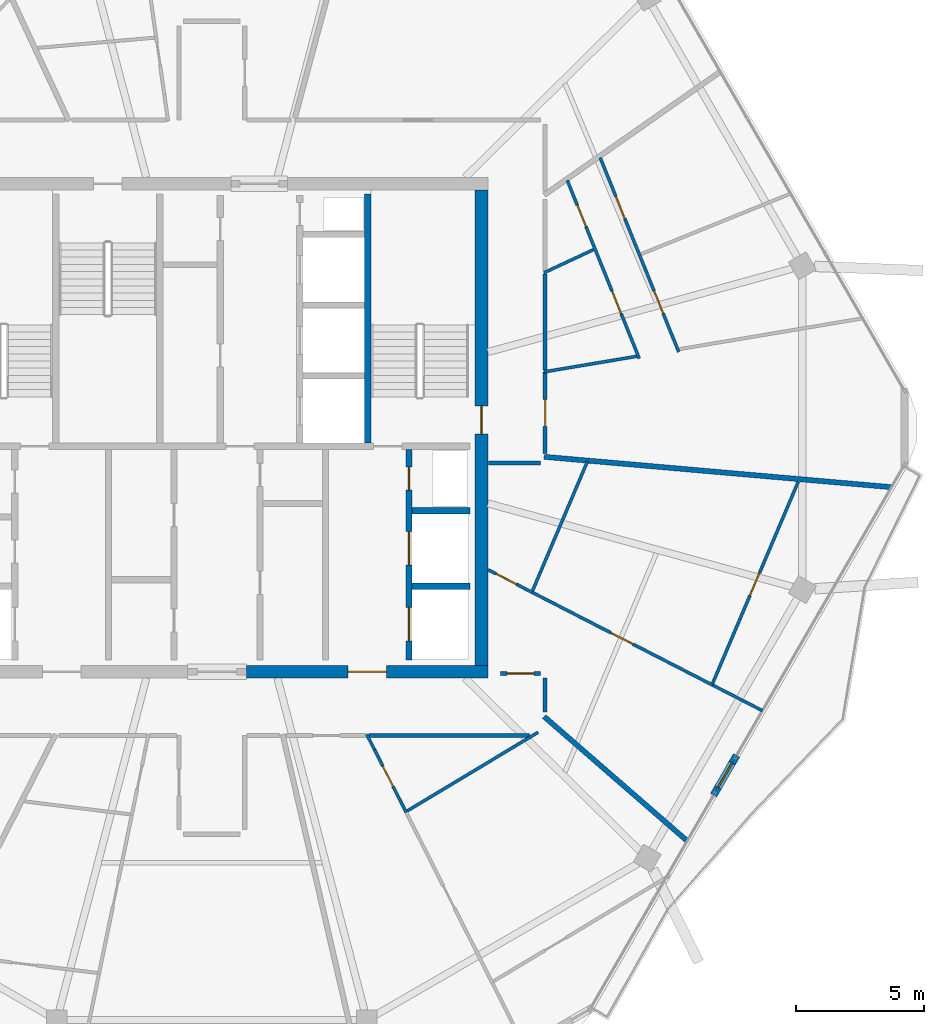
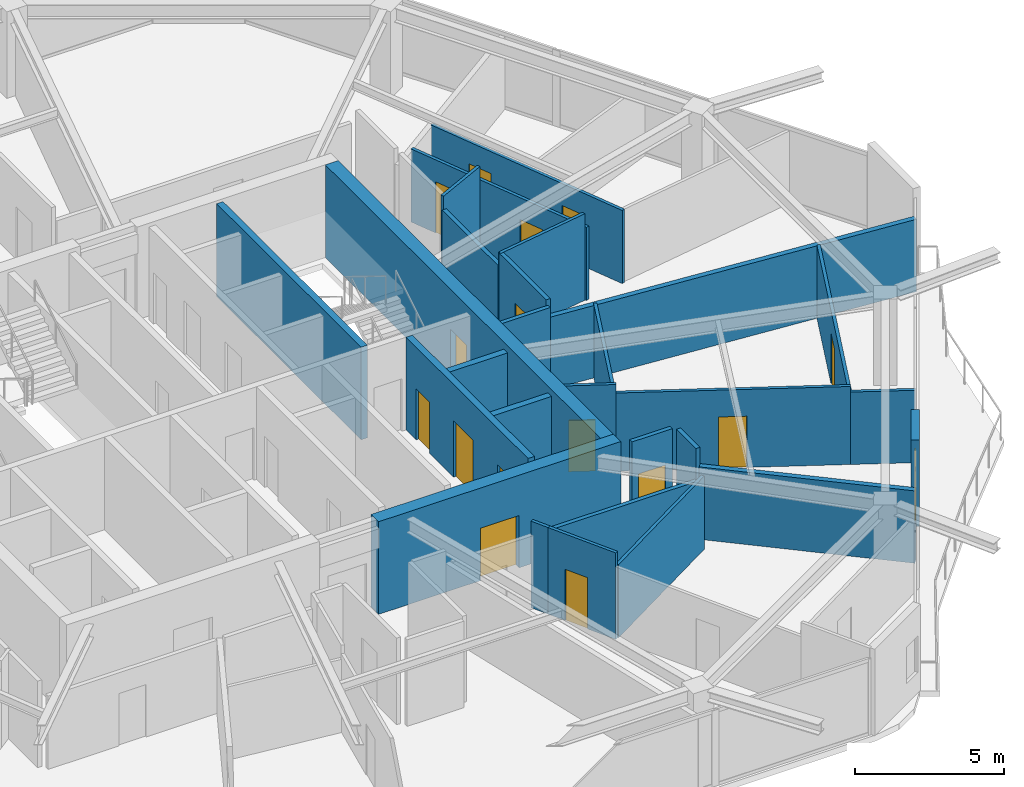
# One storey, part 14 of 19: 27 walls, 16 doors, 16 openings.
"""IFC4 building model written with IfcOpenShell, lengths in metres."""

import ifcopenshell
import ifcopenshell.guid

model = None  # the IFC model being written
_history = None  # IfcOwnerHistory: only IFC2X3 demands one
_inside = {}  # id of a spatial element -> (the spatial element, [elements in it])
_under = {}  # id of a project, library or spatial element -> (it, [spatial elements below it])
_declared = {}  # id of a project -> (the project, [libraries it declares])
_typed = {}  # id of a type object -> (the type object, [elements of that type])
_made_of = {}  # id of a material, layer set ... -> (it, [elements and type objects made of it])


def new_model(schema):
    """Start an empty IFC model of exactly this schema.

    Asked for "IFC4X3", IfcOpenShell would pick the latest addendum, in which some entities
    have other attributes; the version numbers below select the first issue.
    IFC2X3 requires an IfcOwnerHistory on every rooted entity: one is made here for all.
    """
    global model, _history
    if schema == "IFC4X3":
        model = ifcopenshell.file(schema_version=(4, 3, 0, 0))
    else:
        model = ifcopenshell.file(schema=schema)
    _inside.clear()
    _under.clear()
    _declared.clear()
    _typed.clear()
    _made_of.clear()
    _history = None
    if model.schema == "IFC2X3":
        org = make("IfcOrganization", Name="unknown")
        user = make(
            "IfcPersonAndOrganization",
            ThePerson=make("IfcPerson", FamilyName="unknown"),
            TheOrganization=org,
        )
        app = make(
            "IfcApplication",
            ApplicationDeveloper=org,
            Version="unknown",
            ApplicationFullName="unknown",
            ApplicationIdentifier="unknown",
        )
        _history = make(
            "IfcOwnerHistory",
            OwningUser=user,
            OwningApplication=app,
            ChangeAction="ADDED",
            CreationDate=0,
        )
    return model


def make(cls, **values):
    """One entity of the class cls with the attributes given. An attribute that is None is left unset."""
    return model.create_entity(
        cls, **{name: value for name, value in values.items() if value is not None}
    )


def rooted(cls, **values):
    """An entity with a GlobalId (a new one), such as an element, a storey or a relation."""
    return make(cls, GlobalId=ifcopenshell.guid.new(), OwnerHistory=_history, **values)


def si_unit(unit_type, name, prefix=None):
    """IfcSIUnit, for example si_unit("LENGTHUNIT", "METRE", prefix="MILLI")."""
    return make("IfcSIUnit", UnitType=unit_type, Prefix=prefix, Name=name)


def assignment(units):
    """IfcUnitAssignment: the units of a project."""
    return None if units is None else make("IfcUnitAssignment", Units=units)


def point(xyz):
    """IfcCartesianPoint."""
    return None if xyz is None else make("IfcCartesianPoint", Coordinates=xyz)


def direction(xyz):
    """IfcDirection."""
    return None if xyz is None else make("IfcDirection", DirectionRatios=xyz)


def frame(location, z_axis=None, x_axis=None):
    """IfcAxis2Placement3D, a coordinate frame: its origin and axes. An axis left out is left unset."""
    return make(
        "IfcAxis2Placement3D",
        Location=point(location),
        Axis=direction(z_axis),
        RefDirection=direction(x_axis),
    )


def frame_2d(location, x_axis=None):
    """IfcAxis2Placement2D, a coordinate frame in the plane: its origin and x axis."""
    return make(
        "IfcAxis2Placement2D", Location=point(location), RefDirection=direction(x_axis)
    )


def origin():
    """The frame at (0, 0, 0) with its axes left unset."""
    return frame((0.0, 0.0, 0.0))


def place(relative_to, where):
    """IfcLocalPlacement: puts the frame where relative to a parent placement (None: the world)."""
    return make(
        "IfcLocalPlacement", PlacementRelTo=relative_to, RelativePlacement=where
    )


def context(
    kind, dimensions, precision=None, world=None, true_north=None, identifier=None
):
    """IfcGeometricRepresentationContext, for example the 3D "Model" context."""
    return make(
        "IfcGeometricRepresentationContext",
        ContextIdentifier=identifier,
        ContextType=kind,
        CoordinateSpaceDimension=dimensions,
        Precision=precision,
        WorldCoordinateSystem=world,
        TrueNorth=true_north,
    )


def subcontext(parent, identifier, kind, view, scale=None):
    """IfcGeometricRepresentationSubContext, for example "Body" below "Model"."""
    return make(
        "IfcGeometricRepresentationSubContext",
        ContextIdentifier=identifier,
        ContextType=kind,
        ParentContext=parent,
        TargetScale=scale,
        TargetView=view,
    )


def project(units=None, contexts=None):
    """IfcProject with its units and contexts."""
    return rooted(
        "IfcProject",
        Name="project",
        RepresentationContexts=contexts,
        UnitsInContext=assignment(units),
    )


def spatial(cls, under=None, at=None, **own):
    """A site, building, storey or space (cls), placed at a placement, below another one or the project."""
    s = rooted(cls, ObjectPlacement=at, **own)
    if under is not None:
        _under.setdefault(under.id(), (under, []))[1].append(s)
    return s


def profile(cls, at=None, kind="AREA", **sizes):
    """A parametric profile (cls). Its sizes go by their IFC names, for example OverallWidth=200.0."""
    return make(cls, ProfileType=kind, Position=at, **sizes)


def rectangle(**sizes):
    """IfcRectangleProfileDef."""
    return profile("IfcRectangleProfileDef", **sizes)


def extrude(swept, where, along, depth):
    """IfcExtrudedAreaSolid: the profile swept, set in the frame where, extruded along a direction by depth."""
    return make(
        "IfcExtrudedAreaSolid",
        SweptArea=swept,
        Position=where,
        ExtrudedDirection=direction(along),
        Depth=depth,
    )


def shape(context_of_items, identifier, shape_type, items):
    """IfcShapeRepresentation: the items that make up one representation, for example the "Body"."""
    return make(
        "IfcShapeRepresentation",
        ContextOfItems=context_of_items,
        RepresentationIdentifier=identifier,
        RepresentationType=shape_type,
        Items=items,
    )


def material(Name=None, Category=None):
    """IfcMaterial."""
    return make("IfcMaterial", Name=Name, Category=Category)


def layer(
    of_material, thickness, ventilated=None, Name=None, Category=None, Priority=None
):
    """IfcMaterialLayer: one layer of a wall or slab, of a material (None: an air gap)."""
    return make(
        "IfcMaterialLayer",
        Material=of_material,
        LayerThickness=thickness,
        IsVentilated=ventilated,
        Name=Name,
        Category=Category,
        Priority=Priority,
    )


def layer_set(layers, Name=None):
    """IfcMaterialLayerSet."""
    return make("IfcMaterialLayerSet", MaterialLayers=layers, LayerSetName=Name)


def made_of(thing, what):
    """Note that an element or type object is made of a material, layer set ...; save() writes the relation."""
    if what is not None:
        _made_of.setdefault(what.id(), (what, []))[1].append(thing)
    return thing


def type_object(cls, material=None, **own):
    """A type object (cls), such as IfcWallType, which elements share."""
    return made_of(rooted(cls, **own), material)


def element(
    cls,
    number,
    at=None,
    inside=None,
    cuts=None,
    type_object=None,
    material=None,
    context=None,
    identifier="Body",
    shape_type=None,
    held_by="IfcProductDefinitionShape",
    body=None,
    shapes=None,
    **own,
):
    """One element of the class cls, such as IfcWall. Its Tag is "e" and its number.

    at: its placement. inside: the storey or other place that contains it. cuts: it is an
    opening in that element (IfcRelVoidsElement). A single representation is given by context,
    identifier, shape_type and body (its items); several are given by shapes. held_by: the class
    of the entity that holds the representations. save() writes the other relations.
    """
    e = rooted(cls, Tag="e%d" % number, ObjectPlacement=at, **own)
    if body is not None:
        shapes = [shape(context, identifier, shape_type, body)]
    if shapes is not None:
        e.Representation = make(held_by, Representations=shapes)
    if inside is not None:
        _inside.setdefault(inside.id(), (inside, []))[1].append(e)
    if cuts is not None:
        rooted(
            "IfcRelVoidsElement", RelatingBuildingElement=cuts, RelatedOpeningElement=e
        )
    if type_object is not None:
        _typed.setdefault(type_object.id(), (type_object, []))[1].append(e)
    return made_of(e, material)


def fill(opening, filler):
    """IfcRelFillsElement: the door or window that sits in an opening."""
    return rooted(
        "IfcRelFillsElement",
        RelatingOpeningElement=opening,
        RelatedBuildingElement=filler,
    )


def aggregate(whole, parts):
    """IfcRelAggregates: a whole, such as a stair, and the parts it consists of."""
    return rooted("IfcRelAggregates", RelatingObject=whole, RelatedObjects=parts)


def save(model, path):
    """Write the relations noted so far, then the file.

    IfcRelAggregates (storeys below a building ...), IfcRelContainedInSpatialStructure (elements
    in a storey), IfcRelDefinesByType, IfcRelAssociatesMaterial and IfcRelDeclares: one each for
    every whole, place, type object, material and project.
    """
    for whole, parts in _under.values():
        aggregate(whole, parts)
    for where, things in _inside.values():
        rooted(
            "IfcRelContainedInSpatialStructure",
            RelatedElements=things,
            RelatingStructure=where,
        )
    for kind, things in _typed.values():
        rooted("IfcRelDefinesByType", RelatedObjects=things, RelatingType=kind)
    for what, things in _made_of.values():
        rooted("IfcRelAssociatesMaterial", RelatedObjects=things, RelatingMaterial=what)
    for by, libraries in _declared.values():
        rooted("IfcRelDeclares", RelatingContext=by, RelatedDefinitions=libraries)
    model.write(path)


model = new_model("IFC4")

# Units and contexts
model_context = context("Model", 3, precision=1e-05, world=origin(), true_north=direction((0.0, 1.0)))
body_context = subcontext(model_context, "Body", "Model", "MODEL_VIEW")
ifc_project = project(units=[si_unit("LENGTHUNIT", "METRE"), si_unit("AREAUNIT", "SQUARE_METRE"), si_unit("VOLUMEUNIT", "CUBIC_METRE"), si_unit("PLANEANGLEUNIT", "RADIAN"), si_unit("MASSUNIT", "GRAM", prefix="KILO")], contexts=[model_context])

# Site, building, storey
site_placement = place(None, origin())
site = spatial("IfcSite", under=ifc_project, at=site_placement, CompositionType="ELEMENT")
building_placement = place(site_placement, origin())
building = spatial("IfcBuilding", under=site, at=building_placement, Name="Zuhravey Tower", CompositionType="ELEMENT")
storey_placement = place(building_placement, frame((0.0, 0.0, 327.199951171875)))
storey = spatial("IfcBuildingStorey", under=building, at=storey_placement, Name="L83", CompositionType="ELEMENT", Elevation=327.199951171875)

# Wall, opening, door
ifc_material_1 = material(Name="Concrete C50/60", Category="concrete")
ifc_layer_1 = layer(ifc_material_1, 0.5)
ifc_layer_set_1 = layer_set([ifc_layer_1], Name="Concrete C50/60")
wall_type_1 = type_object("IfcWallType", Name="Core Shear Wall 500", PredefinedType="SHEAR", material=ifc_layer_set_1)
wall_1_placement = place(storey_placement, frame((37.35009765625, 22.5, 0.0), z_axis=(0.0, 0.0, 1.0), x_axis=(1.0, 0.0, 0.0)))
wall_1 = element("IfcWall", 1, at=wall_1_placement, inside=storey, type_object=wall_type_1, Name="L83 South-East Core Shear Wall CW50", PredefinedType="SHEAR", context=body_context, shape_type="SweptSolid", body=[
    extrude(rectangle(XDim=9.39990234375, YDim=0.5, at=frame_2d((4.699951171875, 0.0))), origin(), (0.0, 0.0, 1.0), 3.800048828125),
])
opening_1_placement = place(wall_1_placement, frame((3.949951171875, 0.0, 0.0)))
opening_1 = element("IfcOpeningElement", 2, at=opening_1_placement, cuts=wall_1, Name="Opening FFD1", PredefinedType="OPENING", context=body_context, shape_type="SweptSolid", body=[
    extrude(rectangle(XDim=1.5, YDim=2.14990234375, at=frame_2d((0.75, 1.074951171875))), frame((0.0, 0.261962890625, 0.0), z_axis=(0.0, -1.0, 0.0), x_axis=(1.0, 0.0, 0.0)), (0.0, 0.0, 1.0), 0.52392578125),
])
ifc_material_2 = material(Name="Galvanised fire-rated steel leaf", Category="steel")
door_type_1 = type_object("IfcDoorType", Name="Firefighting Lobby Double Door 1500x2150", OperationType="DOUBLE_DOOR_SINGLE_SWING", PredefinedType="DOOR", material=ifc_material_2)
door_1_placement = place(opening_1_placement, origin())
door_1 = element("IfcDoor", 3, at=door_1_placement, inside=storey, type_object=door_type_1, Name="L83 Firefighting Lobby East Door", OperationType="DOUBLE_DOOR_SINGLE_SWING", OverallHeight=2.14990234375, OverallWidth=1.5, PredefinedType="DOOR", context=body_context, shape_type="SweptSolid", body=[
    extrude(rectangle(XDim=1.5, YDim=2.14990234375, at=frame_2d((0.75, 1.074951171875))), frame((0.0, 0.02490234375, 0.0), z_axis=(0.0, -1.0, 0.0), x_axis=(1.0, 0.0, 0.0)), (0.0, 0.0, 1.0), 0.050048828125),
])
fill(opening_1, door_1)

wall_2_placement = place(storey_placement, frame((46.5, 22.75, 0.0), z_axis=(0.0, 0.0, 1.0), x_axis=(0.0, 1.0, 0.0)))
wall_2 = element("IfcWall", 4, at=wall_2_placement, inside=storey, type_object=wall_type_1, Name="L83 East Core Shear Wall CW50", PredefinedType="SHEAR", context=body_context, shape_type="SweptSolid", body=[
    extrude(rectangle(XDim=18.5, YDim=0.5, at=frame_2d((9.25, 0.0))), origin(), (0.0, 0.0, 1.0), 3.800048828125),
])
opening_2_placement = place(wall_2_placement, frame((9.0, 0.0, 0.0)))
opening_2 = element("IfcOpeningElement", 5, at=opening_2_placement, cuts=wall_2, Name="Opening STD1", PredefinedType="OPENING", context=body_context, shape_type="SweptSolid", body=[
    extrude(rectangle(XDim=1.10009765625, YDim=2.14990234375, at=frame_2d((0.550048828125, 1.074951171875))), frame((0.0, 0.261962890625, 0.0), z_axis=(0.0, -1.0, 0.0), x_axis=(1.0, 0.0, 0.0)), (0.0, 0.0, 1.0), 0.52392578125),
])
door_type_2 = type_object("IfcDoorType", Name="Protected Stair Fire Door 1100x2150", OperationType="NOTDEFINED", PredefinedType="USERDEFINED", material=ifc_material_2)
door_2_placement = place(opening_2_placement, origin())
door_2 = element("IfcDoor", 6, at=door_2_placement, inside=storey, type_object=door_type_2, Name="L83 Stair ST2 Door", ObjectType="EXITDOOR", OperationType="SINGLE_SWING_RIGHT", OverallHeight=2.14990234375, OverallWidth=1.10009765625, PredefinedType="USERDEFINED", context=body_context, shape_type="SweptSolid", body=[
    extrude(rectangle(XDim=1.10009765625, YDim=2.14990234375, at=frame_2d((0.550048828125, 1.074951171875))), frame((0.0, 0.02490234375, 0.0), z_axis=(0.0, -1.0, 0.0), x_axis=(1.0, 0.0, 0.0)), (0.0, 0.0, 1.0), 0.050048828125),
])
fill(opening_2, door_2)

ifc_material_3 = material(Name="Gypsum fire-rated stud partition")
ifc_layer_2 = layer(ifc_material_3, 0.159912109375)
ifc_layer_set_2 = layer_set([ifc_layer_2], Name="Gypsum fire-rated stud partition")
wall_type_2 = type_object("IfcWallType", Name="Corridor Fire Partition 160", PredefinedType="PARTITIONING", material=ifc_layer_set_2)
wall_3_placement = place(storey_placement, frame((48.800048828125, 22.429931640625, 0.0), z_axis=(0.0, 0.0, 1.0), x_axis=(-1.0, 0.0, 0.0)))
wall_3 = element("IfcWall", 7, at=wall_3_placement, inside=storey, type_object=wall_type_2, Name="L83 IW16 Partition 047", PredefinedType="PARTITIONING", context=body_context, shape_type="SweptSolid", body=[
    extrude(rectangle(XDim=1.564208984375, YDim=0.159912109375, at=frame_2d((0.7822265625, 0.0))), origin(), (0.0, 0.0, 1.0), 3.550048828125),
])
opening_3_placement = place(wall_3_placement, frame((0.257080078125, 0.0, 0.0)))
opening_3 = element("IfcOpeningElement", 8, at=opening_3_placement, cuts=wall_3, Name="Opening APD1", PredefinedType="OPENING", context=body_context, shape_type="SweptSolid", body=[
    extrude(rectangle(XDim=1.050048828125, YDim=2.14990234375, at=frame_2d((0.52490234375, 1.074951171875))), frame((0.0, 0.092041015625, 0.0), z_axis=(0.0, -1.0, 0.0), x_axis=(1.0, 0.0, 0.0)), (0.0, 0.0, 1.0), 0.183837890625),
])
ifc_material_4 = material(Name="Solid-core oak fire-rated leaf")
door_type_3 = type_object("IfcDoorType", Name="Apartment Entrance Fire Door 1050x2150", OperationType="NOTDEFINED", PredefinedType="DOOR", material=ifc_material_4)
door_3_placement = place(opening_3_placement, origin())
door_3 = element("IfcDoor", 9, at=door_3_placement, inside=storey, type_object=door_type_3, Name="L83 Door 047.1", OperationType="SINGLE_SWING_RIGHT", OverallHeight=2.14990234375, OverallWidth=1.050048828125, PredefinedType="DOOR", context=body_context, shape_type="SweptSolid", body=[
    extrude(rectangle(XDim=1.050048828125, YDim=2.14990234375, at=frame_2d((0.52490234375, 1.074951171875))), frame((0.0, 0.02490234375, 0.0), z_axis=(0.0, -1.0, 0.0), x_axis=(1.0, 0.0, 0.0)), (0.0, 0.0, 1.0), 0.050048828125),
])
fill(opening_3, door_3)

wall_4_placement = place(storey_placement, frame((48.97998046875, 30.99853515625, 0.0), z_axis=(0.0, 0.0, 1.0), x_axis=(0.0, 1.0, 0.0)))
wall_4 = element("IfcWall", 10, at=wall_4_placement, inside=storey, type_object=wall_type_2, Name="L83 IW16 Partition 050", PredefinedType="PARTITIONING", context=body_context, shape_type="SweptSolid", body=[
    extrude(rectangle(XDim=3.16259765625, YDim=0.159912109375, at=frame_2d((1.581298828125, 0.0))), origin(), (0.0, 0.0, 1.0), 3.550048828125),
])
opening_4_placement = place(wall_4_placement, frame((1.056396484375, 0.0, 0.0)))
opening_4 = element("IfcOpeningElement", 11, at=opening_4_placement, cuts=wall_4, Name="Opening APD1", PredefinedType="OPENING", context=body_context, shape_type="SweptSolid", body=[
    extrude(rectangle(XDim=1.050048828125, YDim=2.14990234375, at=frame_2d((0.52490234375, 1.074951171875))), frame((0.0, 0.092041015625, 0.0), z_axis=(0.0, -1.0, 0.0), x_axis=(1.0, 0.0, 0.0)), (0.0, 0.0, 1.0), 0.183837890625),
])
door_4_placement = place(opening_4_placement, frame((1.050048828125, 0.0, 0.0), z_axis=(0.0, 0.0, 1.0), x_axis=(-1.0, 0.0, 0.0)))
door_4 = element("IfcDoor", 12, at=door_4_placement, inside=storey, type_object=door_type_3, Name="L83 Door 050.1", OperationType="SINGLE_SWING_LEFT", OverallHeight=2.14990234375, OverallWidth=1.050048828125, PredefinedType="DOOR", context=body_context, shape_type="SweptSolid", body=[
    extrude(rectangle(XDim=1.050048828125, YDim=2.14990234375, at=frame_2d((0.52490234375, 1.074951171875))), frame((0.0, 0.02490234375, 0.0), z_axis=(0.0, -1.0, 0.0), x_axis=(1.0, 0.0, 0.0)), (0.0, 0.0, 1.0), 0.050048828125),
])
fill(opening_4, door_4)

# Walls
wall_5_placement = place(storey_placement, frame((42.127685546875, 20.02001953125, 0.0), z_axis=(0.0, 0.0, 1.0), x_axis=(1.0, 0.0, 0.0)))
element("IfcWall", 13, at=wall_5_placement, inside=storey, type_object=wall_type_2, Name="L83 IW16 Partition 106", PredefinedType="PARTITIONING", context=body_context, shape_type="SweptSolid", body=[
    extrude(rectangle(XDim=6.244140625, YDim=0.159912109375, at=frame_2d((3.1220703125, 0.0))), origin(), (0.0, 0.0, 1.0), 3.0),
])
wall_6_placement = place(storey_placement, frame((48.97998046875, 20.940185546875, 0.0), z_axis=(0.0, 0.0, 1.0), x_axis=(0.0, 1.0, 0.0)))
element("IfcWall", 14, at=wall_6_placement, inside=storey, type_object=wall_type_2, Name="L83 IW16 Partition 107", PredefinedType="PARTITIONING", context=body_context, shape_type="SweptSolid", body=[
    extrude(rectangle(XDim=1.309814453125, YDim=0.159912109375, at=frame_2d((0.65478515625, 0.0))), origin(), (0.0, 0.0, 1.0), 3.550048828125),
])
wall_7_placement = place(storey_placement, frame((46.77001953125, 30.6201171875, 0.0), z_axis=(0.0, 0.0, 1.0), x_axis=(1.0, 0.0, 0.0)))
element("IfcWall", 15, at=wall_7_placement, inside=storey, type_object=wall_type_2, Name="L83 IW16 Partition 108", PredefinedType="PARTITIONING", context=body_context, shape_type="SweptSolid", body=[
    extrude(rectangle(XDim=2.030029296875, YDim=0.159912109375, at=frame_2d((1.01513671875, 0.0))), origin(), (0.0, 0.0, 1.0), 3.550048828125),
])
wall_8_placement = place(storey_placement, frame((48.97998046875, 34.25048828125, 0.0), z_axis=(0.0, 0.0, 1.0), x_axis=(0.0, 1.0, 0.0)))
element("IfcWall", 16, at=wall_8_placement, inside=storey, type_object=wall_type_2, Name="L83 IW16 Partition 109", PredefinedType="PARTITIONING", context=body_context, shape_type="SweptSolid", body=[
    extrude(rectangle(XDim=3.731201171875, YDim=0.159912109375, at=frame_2d((1.86572265625, 0.0))), origin(), (0.0, 0.0, 1.0), 3.0),
])

# Wall, opening, door
ifc_material_5 = material(Name="Precast concrete C40/50", Category="concrete")
ifc_layer_3 = layer(ifc_material_5, 0.280029296875)
ifc_layer_set_3 = layer_set([ifc_layer_3], Name="Precast concrete C40/50")
wall_type_3 = type_object("IfcWallType", Name="Crown Architectural Wall 280", PredefinedType="SOLIDWALL", material=ifc_layer_set_3)
wall_9_placement = place(storey_placement, frame((56.43212890625, 19.241455078125, 0.0), z_axis=(0.0, 0.0, 1.0), x_axis=(-0.499982180423, -0.866035691677, 0.0)))
wall_9 = element("IfcWall", 17, at=wall_9_placement, inside=storey, type_object=wall_type_3, Name="L83 Face 6 Facade Pier EW28-1", PredefinedType="SOLIDWALL", context=body_context, shape_type="SweptSolid", body=[
    extrude(rectangle(XDim=1.7900390625, YDim=0.280029296875, at=frame_2d((0.89501953125, 0.0))), origin(), (0.0, 0.0, 1.0), 3.550048828125),
])
opening_5_placement = place(wall_9_placement, frame((0.344970703125, 0.0, 0.0)))
opening_5 = element("IfcOpeningElement", 18, at=opening_5_placement, cuts=wall_9, Name="Opening BLD1", PredefinedType="OPENING", context=body_context, shape_type="SweptSolid", body=[
    extrude(rectangle(XDim=1.10009765625, YDim=2.199951171875, at=frame_2d((0.550048828125, 1.10009765625))), frame((0.0, 0.152099609375, 0.0), z_axis=(0.0, -1.0, 0.0), x_axis=(1.0, 0.0, 0.0)), (0.0, 0.0, 1.0), 0.303955078125),
])
ifc_material_6 = material(Name="Thermally broken aluminium and low-E glass", Category="aluminium")
door_type_4 = type_object("IfcDoorType", Name="Balcony & Sky-Tray Glazed Door 1100x2200", OperationType="NOTDEFINED", PredefinedType="DOOR", material=ifc_material_6)
door_5_placement = place(opening_5_placement, frame((1.10009765625, 0.0, 0.0), z_axis=(0.0, 0.0, 1.0), x_axis=(-1.0, 0.0, 0.0)))
door_5 = element("IfcDoor", 19, at=door_5_placement, inside=storey, type_object=door_type_4, Name="L83 Face 6 Wave Balcony Door", OperationType="SINGLE_SWING_LEFT", OverallHeight=2.199951171875, OverallWidth=1.10009765625, PredefinedType="DOOR", context=body_context, shape_type="SweptSolid", body=[
    extrude(rectangle(XDim=1.10009765625, YDim=2.199951171875, at=frame_2d((0.550048828125, 1.10009765625))), frame((0.0, 0.02490234375, 0.0), z_axis=(0.0, -1.0, 0.0), x_axis=(1.0, 0.0, 0.0)), (0.0, 0.0, 1.0), 0.050048828125),
])
fill(opening_5, door_5)

# Walls
ifc_layer_4 = layer(ifc_material_1, 0.25)
ifc_layer_set_4 = layer_set([ifc_layer_4], Name="Concrete C50/60")
wall_type_4 = type_object("IfcWallType", Name="Firefighting Shaft & Stair Wall 250", PredefinedType="SOLIDWALL", material=ifc_layer_set_4)
wall_10_placement = place(storey_placement, frame((42.074951171875, 31.39990234375, 0.0), z_axis=(0.0, 0.0, 1.0), x_axis=(0.0, 1.0, 0.0)))
element("IfcWall", 20, at=wall_10_placement, inside=storey, type_object=wall_type_4, Name="L83 FW25 Shaft Wall 006", PredefinedType="SOLIDWALL", context=body_context, shape_type="SweptSolid", body=[
    extrude(rectangle(XDim=9.7001953125, YDim=0.25, at=frame_2d((4.85009765625, 0.0))), origin(), (0.0, 0.0, 1.0), 3.800048828125),
])
for number, where, z_axis, x_axis, name in (
    (21, (43.800048828125, 25.824951171875, 0.0), (0.0, 0.0, 1.0), (1.0, 0.0, 0.0), "L83 FW25 Shaft Wall 018"),
    (22, (43.800048828125, 28.77490234375, 0.0), (0.0, 0.0, 1.0), (1.0, 0.0, 0.0), "L83 FW25 Shaft Wall 019"),
):
    element("IfcWall", number, at=place(storey_placement, frame(where, z_axis=z_axis, x_axis=x_axis)), inside=storey, type_object=wall_type_4, Name=name, PredefinedType="SOLIDWALL", context=body_context, shape_type="SweptSolid", body=[
        extrude(rectangle(XDim=2.25, YDim=0.25, at=frame_2d((1.125, 0.0))), origin(), (0.0, 0.0, 1.0), 3.800048828125),
    ])

# Wall, openings, doors
wall_11_placement = place(storey_placement, frame((43.675048828125, 22.949951171875, 0.0), z_axis=(0.0, 0.0, 1.0), x_axis=(0.0, 1.0, 0.0)))
wall_11 = element("IfcWall", 23, at=wall_11_placement, inside=storey, type_object=wall_type_4, Name="L83 FW25 Shaft Wall 020", PredefinedType="SOLIDWALL", context=body_context, shape_type="SweptSolid", body=[
    extrude(rectangle(XDim=8.199951171875, YDim=0.25, at=frame_2d((4.10009765625, 0.0))), origin(), (0.0, 0.0, 1.0), 3.800048828125),
])
opening_6_placement = place(wall_11_placement, frame((0.75, 0.0, 0.0)))
opening_6 = element("IfcOpeningElement", 24, at=opening_6_placement, cuts=wall_11, Name="Opening LD2", PredefinedType="OPENING", context=body_context, shape_type="SweptSolid", body=[
    extrude(rectangle(XDim=1.300048828125, YDim=2.300048828125, at=frame_2d((0.64990234375, 1.14990234375))), frame((0.0, 0.136962890625, 0.0), z_axis=(0.0, -1.0, 0.0), x_axis=(1.0, 0.0, 0.0)), (0.0, 0.0, 1.0), 0.27392578125),
])
opening_7_placement = place(wall_11_placement, frame((3.699951171875, 0.0, 0.0)))
opening_7 = element("IfcOpeningElement", 25, at=opening_7_placement, cuts=wall_11, Name="Opening LD2", PredefinedType="OPENING", context=body_context, shape_type="SweptSolid", body=[
    extrude(rectangle(XDim=1.300048828125, YDim=2.300048828125, at=frame_2d((0.64990234375, 1.14990234375))), frame((0.0, 0.136962890625, 0.0), z_axis=(0.0, -1.0, 0.0), x_axis=(1.0, 0.0, 0.0)), (0.0, 0.0, 1.0), 0.27392578125),
])
opening_8_placement = place(wall_11_placement, frame((6.6201171875, 0.0, 0.0)))
opening_8 = element("IfcOpeningElement", 26, at=opening_8_placement, cuts=wall_11, Name="Opening RSD1", PredefinedType="OPENING", context=body_context, shape_type="SweptSolid", body=[
    extrude(rectangle(XDim=0.89990234375, YDim=2.10009765625, at=frame_2d((0.449951171875, 1.050048828125))), frame((0.0, 0.136962890625, 0.0), z_axis=(0.0, -1.0, 0.0), x_axis=(1.0, 0.0, 0.0)), (0.0, 0.0, 1.0), 0.27392578125),
])
ifc_material_7 = material(Name="Brushed stainless steel", Category="steel")
door_type_5 = type_object("IfcDoorType", Name="Freight & Stretcher Lift Sliding Door 1300x2300", OperationType="DOUBLE_DOOR_SLIDING", PredefinedType="DOOR", material=ifc_material_7)
door_6_placement = place(opening_6_placement, origin())
door_6 = element("IfcDoor", 27, at=door_6_placement, inside=storey, type_object=door_type_5, Name="L83 Lift FF2 Landing Door", OperationType="DOUBLE_DOOR_SLIDING", OverallHeight=2.300048828125, OverallWidth=1.300048828125, PredefinedType="DOOR", context=body_context, shape_type="SweptSolid", body=[
    extrude(rectangle(XDim=1.300048828125, YDim=2.300048828125, at=frame_2d((0.64990234375, 1.14990234375))), frame((0.0, 0.02490234375, 0.0), z_axis=(0.0, -1.0, 0.0), x_axis=(1.0, 0.0, 0.0)), (0.0, 0.0, 1.0), 0.050048828125),
])
fill(opening_6, door_6)
door_7_placement = place(opening_7_placement, origin())
door_7 = element("IfcDoor", 28, at=door_7_placement, inside=storey, type_object=door_type_5, Name="L83 Lift SV1 Landing Door", OperationType="DOUBLE_DOOR_SLIDING", OverallHeight=2.300048828125, OverallWidth=1.300048828125, PredefinedType="DOOR", context=body_context, shape_type="SweptSolid", body=[
    extrude(rectangle(XDim=1.300048828125, YDim=2.300048828125, at=frame_2d((0.64990234375, 1.14990234375))), frame((0.0, 0.02490234375, 0.0), z_axis=(0.0, -1.0, 0.0), x_axis=(1.0, 0.0, 0.0)), (0.0, 0.0, 1.0), 0.050048828125),
])
fill(opening_7, door_7)
ifc_material_8 = material(Name="Galvanised fire-rated steel access leaf", Category="steel")
door_type_6 = type_object("IfcDoorType", Name="Riser & Shaft Access Fire Door 900x2100", OperationType="NOTDEFINED", PredefinedType="DOOR", material=ifc_material_8)
door_8_placement = place(opening_8_placement, origin())
door_8 = element("IfcDoor", 29, at=door_8_placement, inside=storey, type_object=door_type_6, Name="L83 Plumbing Riser Door", OperationType="SINGLE_SWING_RIGHT", OverallHeight=2.10009765625, OverallWidth=0.89990234375, PredefinedType="DOOR", context=body_context, shape_type="SweptSolid", body=[
    extrude(rectangle(XDim=0.89990234375, YDim=2.10009765625, at=frame_2d((0.449951171875, 1.050048828125))), frame((0.0, 0.02490234375, 0.0), z_axis=(0.0, -1.0, 0.0), x_axis=(1.0, 0.0, 0.0)), (0.0, 0.0, 1.0), 0.050048828125),
])
fill(opening_8, door_8)

# Walls
ifc_material_9 = material(Name="Gypsum double-stud party assembly")
ifc_layer_5 = layer(ifc_material_9, 0.199951171875)
ifc_layer_set_5 = layer_set([ifc_layer_5], Name="Gypsum double-stud party assembly")
wall_type_5 = type_object("IfcWallType", Name="Inter-Tenancy Party Wall 200", PredefinedType="PARTITIONING", material=ifc_layer_set_5)
wall_12_placement = place(storey_placement, frame((48.93994140625, 20.75146484375, 0.0), z_axis=(0.0, 0.0, 1.0), x_axis=(0.754714491072, -0.656053379662, 0.0)))
element("IfcWall", 30, at=wall_12_placement, inside=storey, type_object=wall_type_5, Name="L83 IW20 Partition 079", PredefinedType="PARTITIONING", context=body_context, shape_type="SweptSolid", body=[
    extrude(rectangle(XDim=7.379150390625, YDim=0.199951171875, at=frame_2d((3.689453125, 0.0))), origin(), (0.0, 0.0, 1.0), 2.969970703125),
])
wall_13_placement = place(storey_placement, frame((48.93994140625, 30.867919921875, 0.0), z_axis=(0.0, 0.0, 1.0), x_axis=(0.996194010343, -0.087163603397, 0.0)))
element("IfcWall", 31, at=wall_13_placement, inside=storey, type_object=wall_type_5, Name="L83 IW20 Partition 082", PredefinedType="PARTITIONING", context=body_context, shape_type="SweptSolid", body=[
    extrude(rectangle(XDim=13.573486328125, YDim=0.199951171875, at=frame_2d((6.78662109375, 0.0))), origin(), (0.0, 0.0, 1.0), 2.969970703125),
])

# Wall, opening, door
ifc_material_10 = material(Name="Gypsum metal-stud partition")
ifc_layer_6 = layer(ifc_material_10, 0.1201171875)
ifc_layer_set_6 = layer_set([ifc_layer_6], Name="Gypsum metal-stud partition")
wall_type_6 = type_object("IfcWallType", Name="Unit Internal Partition 120", PredefinedType="PARTITIONING", material=ifc_layer_set_6)
wall_14_placement = place(storey_placement, frame((42.339599609375, 19.449951171875, 0.0), z_axis=(0.0, 0.0, 1.0), x_axis=(0.45083817538, -0.892605702211, 0.0)))
wall_14 = element("IfcWall", 32, at=wall_14_placement, inside=storey, type_object=wall_type_6, Name="L83 IW12 Partition 040", PredefinedType="PARTITIONING", context=body_context, shape_type="SweptSolid", body=[
    extrude(rectangle(XDim=2.718505859375, YDim=0.1201171875, at=frame_2d((1.359375, 0.0))), origin(), (0.0, 0.0, 1.0), 3.550048828125),
])
opening_9_placement = place(wall_14_placement, frame((0.69189453125, 0.0, 0.0)))
opening_9 = element("IfcOpeningElement", 33, at=opening_9_placement, cuts=wall_14, Name="Opening WCD1", PredefinedType="OPENING", context=body_context, shape_type="SweptSolid", body=[
    extrude(rectangle(XDim=0.89990234375, YDim=2.10009765625, at=frame_2d((0.449951171875, 1.050048828125))), frame((0.0, 0.072021484375, 0.0), z_axis=(0.0, -1.0, 0.0), x_axis=(1.0, 0.0, 0.0)), (0.0, 0.0, 1.0), 0.14404296875),
])
ifc_material_11 = material(Name="Moisture-resistant timber leaf", Category="wood")
door_type_7 = type_object("IfcDoorType", Name="Bathroom & WC Internal Door 900x2100", OperationType="NOTDEFINED", PredefinedType="DOOR", material=ifc_material_11)
door_9_placement = place(opening_9_placement, origin())
door_9 = element("IfcDoor", 34, at=door_9_placement, inside=storey, type_object=door_type_7, Name="Apartment L83-05 Bathroom Door", OperationType="SINGLE_SWING_LEFT", OverallHeight=2.10009765625, OverallWidth=0.89990234375, PredefinedType="DOOR", context=body_context, shape_type="SweptSolid", body=[
    extrude(rectangle(XDim=0.89990234375, YDim=2.10009765625, at=frame_2d((0.449951171875, 1.050048828125))), frame((0.0, 0.02490234375, 0.0), z_axis=(0.0, -1.0, 0.0), x_axis=(1.0, 0.0, 0.0)), (0.0, 0.0, 1.0), 0.050048828125),
])
fill(opening_9, door_9)

wall_15_placement = place(storey_placement, frame((46.758056640625, 26.47119140625, 0.0), z_axis=(0.0, 0.0, 1.0), x_axis=(0.889392970677, -0.457143460755, 0.0)))
wall_15 = element("IfcWall", 35, at=wall_15_placement, inside=storey, type_object=wall_type_6, Name="L83 IW12 Partition 044", PredefinedType="PARTITIONING", context=body_context, shape_type="SweptSolid", body=[
    extrude(rectangle(XDim=1.94189453125, YDim=0.1201171875, at=frame_2d((0.970947265625, 0.0))), origin(), (0.0, 0.0, 1.0), 3.550048828125),
])
opening_10_placement = place(wall_15_placement, frame((0.343994140625, 0.0, 0.0)))
opening_10 = element("IfcOpeningElement", 36, at=opening_10_placement, cuts=wall_15, Name="Opening WCD1", PredefinedType="OPENING", context=body_context, shape_type="SweptSolid", body=[
    extrude(rectangle(XDim=0.89990234375, YDim=2.10009765625, at=frame_2d((0.449951171875, 1.050048828125))), frame((0.0, 0.072021484375, 0.0), z_axis=(0.0, -1.0, 0.0), x_axis=(1.0, 0.0, 0.0)), (0.0, 0.0, 1.0), 0.14404296875),
])
door_10_placement = place(opening_10_placement, origin())
door_10 = element("IfcDoor", 37, at=door_10_placement, inside=storey, type_object=door_type_7, Name="Apartment L83-06 Bathroom Door", OperationType="SINGLE_SWING_LEFT", OverallHeight=2.10009765625, OverallWidth=0.89990234375, PredefinedType="DOOR", context=body_context, shape_type="SweptSolid", body=[
    extrude(rectangle(XDim=0.89990234375, YDim=2.10009765625, at=frame_2d((0.449951171875, 1.050048828125))), frame((0.0, 0.02490234375, 0.0), z_axis=(0.0, -1.0, 0.0), x_axis=(1.0, 0.0, 0.0)), (0.0, 0.0, 1.0), 0.050048828125),
])
fill(opening_10, door_10)

wall_16_placement = place(storey_placement, frame((48.485107421875, 25.58349609375, 0.0), z_axis=(0.0, 0.0, 1.0), x_axis=(0.889425539597, -0.457080090917, 0.0)))
wall_16 = element("IfcWall", 38, at=wall_16_placement, inside=storey, type_object=wall_type_6, Name="L83 IW12 Partition 045", PredefinedType="PARTITIONING", context=body_context, shape_type="SweptSolid", body=[
    extrude(rectangle(XDim=7.886474609375, YDim=0.1201171875, at=frame_2d((3.943359375, 0.0))), origin(), (0.0, 0.0, 1.0), 3.199951171875),
])
opening_11_placement = place(wall_16_placement, frame((3.443115234375, 0.0, 0.0)))
opening_11 = element("IfcOpeningElement", 39, at=opening_11_placement, cuts=wall_16, Name="Opening IND1", PredefinedType="OPENING", context=body_context, shape_type="SweptSolid", body=[
    extrude(rectangle(XDim=0.949951171875, YDim=2.10009765625, at=frame_2d((0.47509765625, 1.050048828125))), frame((0.0, 0.072021484375, 0.0), z_axis=(0.0, -1.0, 0.0), x_axis=(1.0, 0.0, 0.0)), (0.0, 0.0, 1.0), 0.14404296875),
])
ifc_material_12 = material(Name="Painted engineered timber leaf", Category="wood")
door_type_8 = type_object("IfcDoorType", Name="Internal Room & Bedroom Door 950x2100", OperationType="NOTDEFINED", PredefinedType="DOOR", material=ifc_material_12)
door_11_placement = place(opening_11_placement, origin())
door_11 = element("IfcDoor", 40, at=door_11_placement, inside=storey, type_object=door_type_8, Name="Apartment L83-06 Home Office Door", OperationType="SINGLE_SWING_RIGHT", OverallHeight=2.10009765625, OverallWidth=0.949951171875, PredefinedType="DOOR", context=body_context, shape_type="SweptSolid", body=[
    extrude(rectangle(XDim=0.949951171875, YDim=2.10009765625, at=frame_2d((0.47509765625, 1.050048828125))), frame((0.0, 0.02490234375, 0.0), z_axis=(0.0, -1.0, 0.0), x_axis=(1.0, 0.0, 0.0)), (0.0, 0.0, 1.0), 0.050048828125),
])
fill(opening_11, door_11)

wall_17_placement = place(storey_placement, frame((55.50390625, 22.052978515625, 0.0), z_axis=(0.0, 0.0, 1.0), x_axis=(0.390730730801, 0.920505022261, 0.0)))
wall_17 = element("IfcWall", 41, at=wall_17_placement, inside=storey, type_object=wall_type_6, Name="L83 IW12 Partition 046", PredefinedType="PARTITIONING", context=body_context, shape_type="SweptSolid", body=[
    extrude(rectangle(XDim=8.5263671875, YDim=0.1201171875, at=frame_2d((4.26318359375, 0.0))), origin(), (0.0, 0.0, 1.0), 3.0),
])
opening_12_placement = place(wall_17_placement, frame((3.7041015625, 0.0, 0.0)))
opening_12 = element("IfcOpeningElement", 42, at=opening_12_placement, cuts=wall_17, Name="Opening IND1", PredefinedType="OPENING", context=body_context, shape_type="SweptSolid", body=[
    extrude(rectangle(XDim=0.949951171875, YDim=2.10009765625, at=frame_2d((0.47509765625, 1.050048828125))), frame((0.0, 0.072021484375, 0.0), z_axis=(0.0, -1.0, 0.0), x_axis=(1.0, 0.0, 0.0)), (0.0, 0.0, 1.0), 0.14404296875),
])
door_12_placement = place(opening_12_placement, frame((0.949951171875, 0.0, 0.0), z_axis=(0.0, 0.0, 1.0), x_axis=(-1.0, 0.0, 0.0)))
door_12 = element("IfcDoor", 43, at=door_12_placement, inside=storey, type_object=door_type_8, Name="Apartment L83-06 Bedroom 1 Door", OperationType="SINGLE_SWING_LEFT", OverallHeight=2.10009765625, OverallWidth=0.949951171875, PredefinedType="DOOR", context=body_context, shape_type="SweptSolid", body=[
    extrude(rectangle(XDim=0.949951171875, YDim=2.10009765625, at=frame_2d((0.47509765625, 1.050048828125))), frame((0.0, 0.02490234375, 0.0), z_axis=(0.0, -1.0, 0.0), x_axis=(1.0, 0.0, 0.0)), (0.0, 0.0, 1.0), 0.050048828125),
])
fill(opening_12, door_12)

# Wall, openings, doors
wall_18_placement = place(storey_placement, frame((52.644287109375, 34.69580078125, 0.0), z_axis=(0.0, 0.0, 1.0), x_axis=(-0.374926411414, 0.927054575537, 0.0)))
wall_18 = element("IfcWall", 44, at=wall_18_placement, inside=storey, type_object=wall_type_6, Name="L83 IW12 Partition 048", PredefinedType="PARTITIONING", context=body_context, shape_type="SweptSolid", body=[
    extrude(rectangle(XDim=7.482666015625, YDim=0.1201171875, at=frame_2d((3.7412109375, 0.0))), origin(), (0.0, 0.0, 1.0), 3.0),
])
opening_13_placement = place(wall_18_placement, frame((1.876953125, 0.0, 0.0)))
opening_13 = element("IfcOpeningElement", 45, at=opening_13_placement, cuts=wall_18, Name="Opening IND1", PredefinedType="OPENING", context=body_context, shape_type="SweptSolid", body=[
    extrude(rectangle(XDim=0.949951171875, YDim=2.10009765625, at=frame_2d((0.47509765625, 1.050048828125))), frame((0.0, 0.072021484375, 0.0), z_axis=(0.0, -1.0, 0.0), x_axis=(1.0, 0.0, 0.0)), (0.0, 0.0, 1.0), 0.14404296875),
])
opening_14_placement = place(wall_18_placement, frame((5.540771484375, 0.0, 0.0)))
opening_14 = element("IfcOpeningElement", 46, at=opening_14_placement, cuts=wall_18, Name="Opening WCD1", PredefinedType="OPENING", context=body_context, shape_type="SweptSolid", body=[
    extrude(rectangle(XDim=0.89990234375, YDim=2.10009765625, at=frame_2d((0.449951171875, 1.050048828125))), frame((0.0, 0.072021484375, 0.0), z_axis=(0.0, -1.0, 0.0), x_axis=(1.0, 0.0, 0.0)), (0.0, 0.0, 1.0), 0.14404296875),
])
door_13_placement = place(opening_14_placement, origin())
door_13 = element("IfcDoor", 47, at=door_13_placement, inside=storey, type_object=door_type_7, Name="Apartment L83-07 Bathroom Door", OperationType="SINGLE_SWING_RIGHT", OverallHeight=2.10009765625, OverallWidth=0.89990234375, PredefinedType="DOOR", context=body_context, shape_type="SweptSolid", body=[
    extrude(rectangle(XDim=0.89990234375, YDim=2.10009765625, at=frame_2d((0.449951171875, 1.050048828125))), frame((0.0, 0.02490234375, 0.0), z_axis=(0.0, -1.0, 0.0), x_axis=(1.0, 0.0, 0.0)), (0.0, 0.0, 1.0), 0.050048828125),
])
fill(opening_14, door_13)
door_14_placement = place(opening_13_placement, origin())
door_14 = element("IfcDoor", 48, at=door_14_placement, inside=storey, type_object=door_type_8, Name="Apartment L83-07 Kitchen Door", OperationType="SINGLE_SWING_LEFT", OverallHeight=2.10009765625, OverallWidth=0.949951171875, PredefinedType="DOOR", context=body_context, shape_type="SweptSolid", body=[
    extrude(rectangle(XDim=0.949951171875, YDim=2.10009765625, at=frame_2d((0.47509765625, 1.050048828125))), frame((0.0, 0.02490234375, 0.0), z_axis=(0.0, -1.0, 0.0), x_axis=(1.0, 0.0, 0.0)), (0.0, 0.0, 1.0), 0.050048828125),
])
fill(opening_13, door_14)

wall_19_placement = place(storey_placement, frame((54.179443359375, 34.953857421875, 0.0), z_axis=(0.0, 0.0, 1.0), x_axis=(-0.374928779354, 0.927053617873, 0.0)))
wall_19 = element("IfcWall", 49, at=wall_19_placement, inside=storey, type_object=wall_type_6, Name="L83 IW12 Partition 049", PredefinedType="PARTITIONING", context=body_context, shape_type="SweptSolid", body=[
    extrude(rectangle(XDim=8.1552734375, YDim=0.1201171875, at=frame_2d((4.07763671875, 0.0))), origin(), (0.0, 0.0, 1.0), 3.0),
])
opening_15_placement = place(wall_19_placement, frame((1.614013671875, 0.0, 0.0)))
opening_15 = element("IfcOpeningElement", 50, at=opening_15_placement, cuts=wall_19, Name="Opening IND1", PredefinedType="OPENING", context=body_context, shape_type="SweptSolid", body=[
    extrude(rectangle(XDim=0.949951171875, YDim=2.10009765625, at=frame_2d((0.47509765625, 1.050048828125))), frame((0.0, 0.072021484375, 0.0), z_axis=(0.0, -1.0, 0.0), x_axis=(1.0, 0.0, 0.0)), (0.0, 0.0, 1.0), 0.14404296875),
])
opening_16_placement = place(wall_19_placement, frame((5.591552734375, 0.0, 0.0)))
opening_16 = element("IfcOpeningElement", 51, at=opening_16_placement, cuts=wall_19, Name="Opening IND1", PredefinedType="OPENING", context=body_context, shape_type="SweptSolid", body=[
    extrude(rectangle(XDim=0.949951171875, YDim=2.10009765625, at=frame_2d((0.47509765625, 1.050048828125))), frame((0.0, 0.072021484375, 0.0), z_axis=(0.0, -1.0, 0.0), x_axis=(1.0, 0.0, 0.0)), (0.0, 0.0, 1.0), 0.14404296875),
])
door_15_placement = place(opening_15_placement, frame((0.949951171875, 0.0, 0.0), z_axis=(0.0, 0.0, 1.0), x_axis=(-1.0, 0.0, 0.0)))
door_15 = element("IfcDoor", 52, at=door_15_placement, inside=storey, type_object=door_type_8, Name="Apartment L83-07 Bedroom 1 Door", OperationType="SINGLE_SWING_LEFT", OverallHeight=2.10009765625, OverallWidth=0.949951171875, PredefinedType="DOOR", context=body_context, shape_type="SweptSolid", body=[
    extrude(rectangle(XDim=0.949951171875, YDim=2.10009765625, at=frame_2d((0.47509765625, 1.050048828125))), frame((0.0, 0.02490234375, 0.0), z_axis=(0.0, -1.0, 0.0), x_axis=(1.0, 0.0, 0.0)), (0.0, 0.0, 1.0), 0.050048828125),
])
fill(opening_15, door_15)
door_16_placement = place(opening_16_placement, frame((0.949951171875, 0.0, 0.0), z_axis=(0.0, 0.0, 1.0), x_axis=(-1.0, 0.0, 0.0)))
door_16 = element("IfcDoor", 53, at=door_16_placement, inside=storey, type_object=door_type_8, Name="Apartment L83-07 Bedroom 2 Door", OperationType="SINGLE_SWING_RIGHT", OverallHeight=2.10009765625, OverallWidth=0.949951171875, PredefinedType="DOOR", context=body_context, shape_type="SweptSolid", body=[
    extrude(rectangle(XDim=0.949951171875, YDim=2.10009765625, at=frame_2d((0.47509765625, 1.050048828125))), frame((0.0, 0.02490234375, 0.0), z_axis=(0.0, -1.0, 0.0), x_axis=(1.0, 0.0, 0.0)), (0.0, 0.0, 1.0), 0.050048828125),
])
fill(opening_16, door_16)

# Walls
wall_20_placement = place(storey_placement, frame((42.0302734375, 20.062255859375, 0.0), z_axis=(0.0, 0.0, 1.0), x_axis=(0.450911009137, -0.892568911535, 0.0)))
element("IfcWall", 54, at=wall_20_placement, inside=storey, type_object=wall_type_6, Name="L83 IW12 Partition 076", PredefinedType="PARTITIONING", context=body_context, shape_type="SweptSolid", body=[
    extrude(rectangle(XDim=0.68603515625, YDim=0.1201171875, at=frame_2d((0.343017578125, 0.0))), origin(), (0.0, 0.0, 1.0), 3.550048828125),
])
wall_21_placement = place(storey_placement, frame((43.6123046875, 17.080810546875, 0.0), z_axis=(0.0, 0.0, 1.0), x_axis=(0.857173603687, 0.515027584837, 0.0)))
element("IfcWall", 55, at=wall_21_placement, inside=storey, type_object=wall_type_6, Name="L83 IW12 Partition 078", PredefinedType="PARTITIONING", context=body_context, shape_type="SweptSolid", body=[
    extrude(rectangle(XDim=5.939697265625, YDim=0.1201171875, at=frame_2d((2.9697265625, 0.0))), origin(), (0.0, 0.0, 1.0), 3.0),
])
wall_22_placement = place(storey_placement, frame((55.49951171875, 21.978759765625, 0.0), z_axis=(0.0, 0.0, 1.0), x_axis=(0.889363131607, -0.457201509335, 0.0)))
element("IfcWall", 56, at=wall_22_placement, inside=storey, type_object=wall_type_6, Name="L83 IW12 Partition 080", PredefinedType="PARTITIONING", context=body_context, shape_type="SweptSolid", body=[
    extrude(rectangle(XDim=2.18408203125, YDim=0.1201171875, at=frame_2d((1.092041015625, 0.0))), origin(), (0.0, 0.0, 1.0), 2.969970703125),
])
wall_23_placement = place(storey_placement, frame((48.489501953125, 25.65771484375, 0.0), z_axis=(0.0, 0.0, 1.0), x_axis=(0.390765351484, 0.920490325902, 0.0)))
element("IfcWall", 57, at=wall_23_placement, inside=storey, type_object=wall_type_6, Name="L83 IW12 Partition 081", PredefinedType="PARTITIONING", context=body_context, shape_type="SweptSolid", body=[
    extrude(rectangle(XDim=5.46923828125, YDim=0.1201171875, at=frame_2d((2.734619140625, 0.0))), origin(), (0.0, 0.0, 1.0), 3.0),
])
wall_24_placement = place(storey_placement, frame((48.929931640625, 38.033447265625, 0.0), z_axis=(0.0, 0.0, 1.0), x_axis=(0.906197801286, 0.422854046857, 0.0)))
element("IfcWall", 58, at=wall_24_placement, inside=storey, type_object=wall_type_6, Name="L83 IW12 Partition 083", PredefinedType="PARTITIONING", context=body_context, shape_type="SweptSolid", body=[
    extrude(rectangle(XDim=2.126953125, YDim=0.1201171875, at=frame_2d((1.0634765625, 0.0))), origin(), (0.0, 0.0, 1.0), 3.550048828125),
])
wall_25_placement = place(storey_placement, frame((48.930419921875, 34.173095703125, 0.0), z_axis=(0.0, 0.0, 1.0), x_axis=(0.986167473013, 0.165751968828, 0.0)))
element("IfcWall", 59, at=wall_25_placement, inside=storey, type_object=wall_type_6, Name="L83 IW12 Partition 085", PredefinedType="PARTITIONING", context=body_context, shape_type="SweptSolid", body=[
    extrude(rectangle(XDim=3.6572265625, YDim=0.1201171875, at=frame_2d((1.82861328125, 0.0))), origin(), (0.0, 0.0, 1.0), 3.550048828125),
])

save(model, "model.ifc")
